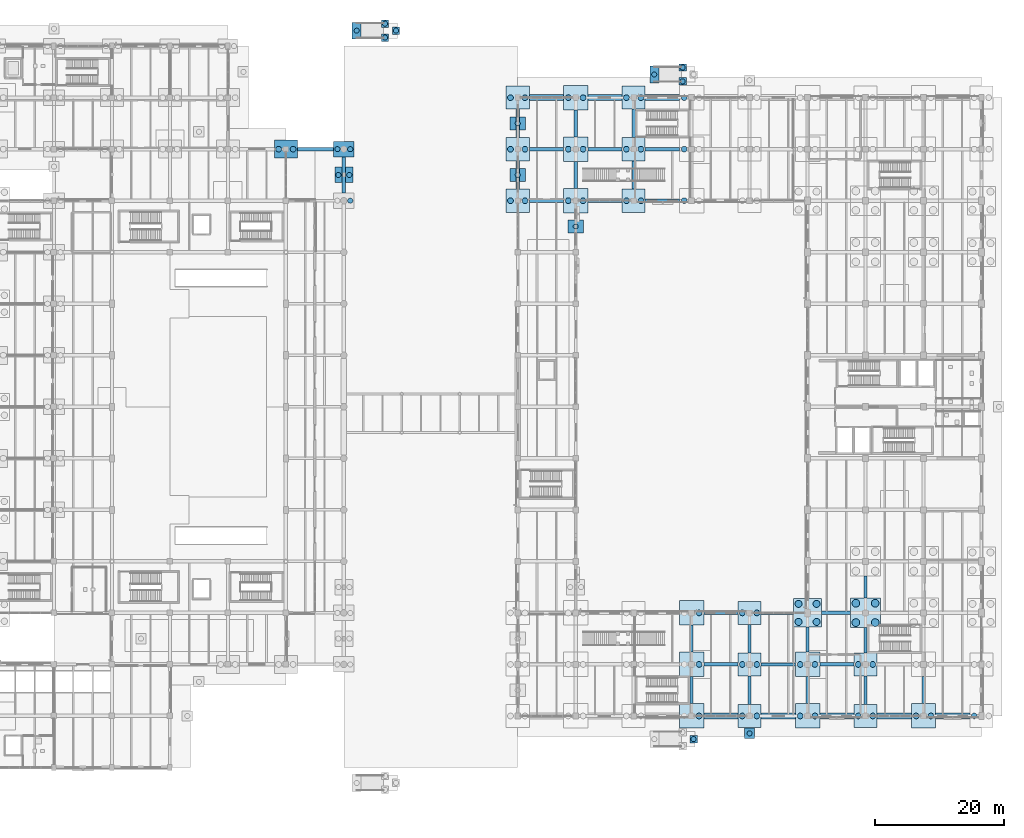
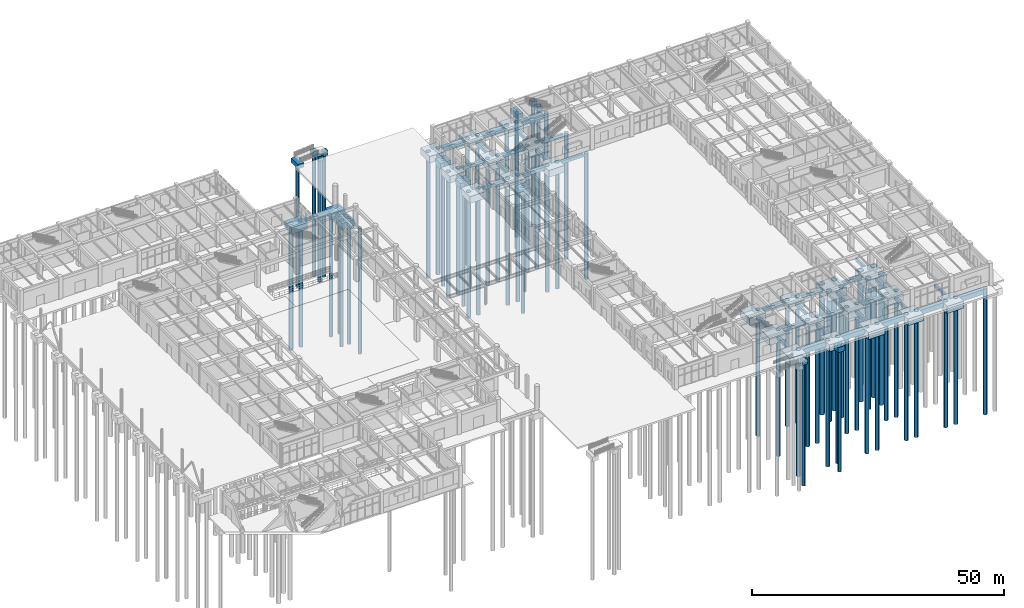
# One storey, part 3 of 121: 75 footings, 68 piles.
"""IFC4 building model written with IfcOpenShell, lengths in metres."""

from ifc_helpers import new_model, si_unit, derived_unit, direction, frame, origin, origin_2d, place, context, subcontext, project, spatial, rectangle, circle, extrude, material, material_profile, profile_set, type_object, element, save


model = new_model("IFC4")

# Units and contexts
model_context = context("Model", 3, precision=1e-05, world=origin(), true_north=direction((0.0, 1.0)))
body_context = subcontext(model_context, "Body", "Model", "MODEL_VIEW")
ifc_project = project(units=[si_unit("LENGTHUNIT", "METRE"), si_unit("AREAUNIT", "SQUARE_METRE"), si_unit("VOLUMEUNIT", "CUBIC_METRE"), si_unit("PLANEANGLEUNIT", "RADIAN"), si_unit("MASSUNIT", "GRAM", prefix="KILO"), derived_unit("THERMALTRANSMITTANCEUNIT", [(si_unit("MASSUNIT", "GRAM", prefix="KILO"), 1), (si_unit("TIMEUNIT", "SECOND"), -3), (si_unit("THERMODYNAMICTEMPERATUREUNIT", "KELVIN"), -1)])], contexts=[model_context])

# Site, building, storey
site_placement = place(None, origin())
site = spatial("IfcSite", under=ifc_project, at=site_placement, CompositionType="ELEMENT")
building_placement = place(site_placement, origin())
building = spatial("IfcBuilding", under=site, at=building_placement, Name="Zhenchuan Archway Interchange", CompositionType="ELEMENT")
storey_placement = place(building_placement, origin())
storey = spatial("IfcBuildingStorey", under=building, at=storey_placement, Name="L00", CompositionType="ELEMENT", Elevation=0.0)

# Footings
ifc_material_1 = material(Name="Concrete C40", Category="concrete")
ifc_material_profile_1 = material_profile(ifc_material_1, rectangle(XDim=0.550048828125, YDim=0.85009765625, at=origin_2d()), Name="RC 550x850")
ifc_profile_set_1 = profile_set([ifc_material_profile_1], Name="Concrete C40")
footing_type_1 = type_object("IfcFootingType", Name="FB_GROUND_3", PredefinedType="FOOTING_BEAM", material=ifc_profile_set_1)
for number, where, z_axis, x_axis, name in (
    (1, (127.89990234375, 16.0, -0.844970703125), (1.0, 0.0, 0.0), (0.0, 1.0, 0.0), "Ground tie beam C:15-16 (L00)"),
    (2, (145.89990234375, 16.0, -0.844970703125), (1.0, 0.0, 0.0), (0.0, 1.0, 0.0), "Ground tie beam C:17-18 (L00)"),
    (3, (127.89990234375, 24.0, -0.844970703125), (1.0, 0.0, 0.0), (0.0, 1.0, 0.0), "Ground tie beam D:15-16 (L00)"),
):
    element("IfcFooting", number, at=place(storey_placement, frame(where, z_axis=z_axis, x_axis=x_axis)), inside=storey, type_object=footing_type_1, Name=name, PredefinedType="FOOTING_BEAM", context=body_context, shape_type="SweptSolid", body=[
        extrude(rectangle(XDim=0.550048828125, YDim=0.85009765625, at=origin_2d()), origin(), (0.0, 0.0, 1.0), 5.300048828125),
    ])
footing_1_placement = place(storey_placement, frame((146.199951171875, 24.0, -0.844970703125), z_axis=(1.0, 0.0, 0.0), x_axis=(0.0, 1.0, 0.0)))
element("IfcFooting", 4, at=footing_1_placement, inside=storey, type_object=footing_type_1, Name="Ground tie beam D:17-18 (L00)", PredefinedType="FOOTING_BEAM", context=body_context, shape_type="SweptSolid", body=[
    extrude(rectangle(XDim=0.550048828125, YDim=0.85009765625, at=origin_2d()), origin(), (0.0, 0.0, 1.0), 4.5),
])
for number, where, z_axis, x_axis, name in (
    (5, (109.89990234375, 88.0, -0.844970703125), (1.0, 0.0, 0.0), (0.0, 1.0, 0.0), "Ground tie beam M:13-14 (L00)"),
    (6, (109.89990234375, 96.0, -0.844970703125), (1.0, 0.0, 0.0), (0.0, 1.0, 0.0), "Ground tie beam N:13-14 (L00)"),
):
    element("IfcFooting", number, at=place(storey_placement, frame(where, z_axis=z_axis, x_axis=x_axis)), inside=storey, type_object=footing_type_1, Name=name, PredefinedType="FOOTING_BEAM", context=body_context, shape_type="SweptSolid", body=[
        extrude(rectangle(XDim=0.550048828125, YDim=0.85009765625, at=origin_2d()), origin(), (0.0, 0.0, 1.0), 5.300048828125),
    ])
ifc_material_profile_2 = material_profile(ifc_material_1, rectangle(XDim=0.5, YDim=0.75, at=origin_2d()), Name="RC 500x750")
ifc_profile_set_2 = profile_set([ifc_material_profile_2], Name="Concrete C40")
footing_type_2 = type_object("IfcFootingType", Name="FB_GROUND_4", PredefinedType="FOOTING_BEAM", material=ifc_profile_set_2)
footing_2_placement = place(storey_placement, frame((136.800048828125, 16.0, -0.794921875), z_axis=(1.0, 0.0, 0.0), x_axis=(0.0, 1.0, 0.0)))
element("IfcFooting", 7, at=footing_2_placement, inside=storey, type_object=footing_type_2, Name="Ground tie beam C:16-17 (L00)", PredefinedType="FOOTING_BEAM", context=body_context, shape_type="SweptSolid", body=[
    extrude(rectangle(XDim=0.5, YDim=0.75, at=origin_2d()), origin(), (0.0, 0.0, 1.0), 5.300048828125),
])
footing_3_placement = place(storey_placement, frame((136.800048828125, 24.0, -0.794921875), z_axis=(1.0, 0.0, 0.0), x_axis=(0.0, 1.0, 0.0)))
element("IfcFooting", 8, at=footing_3_placement, inside=storey, type_object=footing_type_2, Name="Ground tie beam D:16-17 (L00)", PredefinedType="FOOTING_BEAM", context=body_context, shape_type="SweptSolid", body=[
    extrude(rectangle(XDim=0.5, YDim=0.75, at=origin_2d()), origin(), (0.0, 0.0, 1.0), 5.0),
])
for number, where, z_axis, x_axis, name in (
    (9, (100.800048828125, 88.0, -0.794921875), (1.0, 0.0, 0.0), (0.0, 1.0, 0.0), "Ground tie beam M:12-13 (L00)"),
    (10, (118.800048828125, 88.0, -0.794921875), (1.0, 0.0, 0.0), (0.0, 1.0, 0.0), "Ground tie beam M:14-15 (L00)"),
):
    element("IfcFooting", number, at=place(storey_placement, frame(where, z_axis=z_axis, x_axis=x_axis)), inside=storey, type_object=footing_type_2, Name=name, PredefinedType="FOOTING_BEAM", context=body_context, shape_type="SweptSolid", body=[
        extrude(rectangle(XDim=0.5, YDim=0.75, at=origin_2d()), origin(), (0.0, 0.0, 1.0), 5.300048828125),
    ])
footing_4_placement = place(storey_placement, frame((64.800048828125, 96.0, -0.794921875), z_axis=(1.0, 0.0, 0.0), x_axis=(0.0, 1.0, 0.0)))
element("IfcFooting", 11, at=footing_4_placement, inside=storey, type_object=footing_type_2, Name="Ground tie beam N:8-9 (L00)", PredefinedType="FOOTING_BEAM", context=body_context, shape_type="SweptSolid", body=[
    extrude(rectangle(XDim=0.5, YDim=0.75, at=origin_2d()), origin(), (0.0, 0.0, 1.0), 5.599853515625),
])
for number, where, z_axis, x_axis, name in (
    (12, (100.800048828125, 96.0, -0.794921875), (1.0, 0.0, 0.0), (0.0, 1.0, 0.0), "Ground tie beam N:12-13 (L00)"),
    (13, (118.800048828125, 96.0, -0.794921875), (1.0, 0.0, 0.0), (0.0, 1.0, 0.0), "Ground tie beam N:14-15 (L00)"),
):
    element("IfcFooting", number, at=place(storey_placement, frame(where, z_axis=z_axis, x_axis=x_axis)), inside=storey, type_object=footing_type_2, Name=name, PredefinedType="FOOTING_BEAM", context=body_context, shape_type="SweptSolid", body=[
        extrude(rectangle(XDim=0.5, YDim=0.75, at=origin_2d()), origin(), (0.0, 0.0, 1.0), 5.300048828125),
    ])
footing_5_placement = place(storey_placement, frame((72.0, 89.199951171875, -0.794921875), z_axis=(0.0, 1.0, 0.0), x_axis=(-1.0, 0.0, 0.0)))
element("IfcFooting", 14, at=footing_5_placement, inside=storey, type_object=footing_type_2, Name="Ground tie beam 9:M-N (L00)", PredefinedType="FOOTING_BEAM", context=body_context, shape_type="SweptSolid", body=[
    extrude(rectangle(XDim=0.5, YDim=0.75, at=origin_2d()), origin(), (0.0, 0.0, 1.0), 5.60009765625),
])
for number, where, z_axis, x_axis, name in (
    (15, (99.0, 89.800048828125, -0.794921875), (0.0, 1.0, 0.0), (-1.0, 0.0, 0.0), "Ground tie beam 12:M-N (L00)"),
    (16, (99.0, 97.800048828125, -0.794921875), (0.0, 1.0, 0.0), (-1.0, 0.0, 0.0), "Ground tie beam 12:N-O (L00)"),
):
    element("IfcFooting", number, at=place(storey_placement, frame(where, z_axis=z_axis, x_axis=x_axis)), inside=storey, type_object=footing_type_2, Name=name, PredefinedType="FOOTING_BEAM", context=body_context, shape_type="SweptSolid", body=[
        extrude(rectangle(XDim=0.5, YDim=0.75, at=origin_2d()), origin(), (0.0, 0.0, 1.0), 4.39990234375),
    ])
for number, where, z_axis, x_axis, name in (
    (17, (108.0, 89.89990234375, -0.794921875), (0.0, 1.0, 0.0), (-1.0, 0.0, 0.0), "Ground tie beam 13:M-N (L00)"),
    (18, (108.0, 97.89990234375, -0.794921875), (0.0, 1.0, 0.0), (-1.0, 0.0, 0.0), "Ground tie beam 13:N-O (L00)"),
):
    element("IfcFooting", number, at=place(storey_placement, frame(where, z_axis=z_axis, x_axis=x_axis)), inside=storey, type_object=footing_type_2, Name=name, PredefinedType="FOOTING_BEAM", context=body_context, shape_type="SweptSolid", body=[
        extrude(rectangle(XDim=0.5, YDim=0.75, at=origin_2d()), origin(), (0.0, 0.0, 1.0), 4.2001953125),
    ])
for number, where, z_axis, x_axis, name in (
    (19, (117.0, 89.800048828125, -0.794921875), (0.0, 1.0, 0.0), (-1.0, 0.0, 0.0), "Ground tie beam 14:M-N (L00)"),
    (20, (117.0, 97.800048828125, -0.794921875), (0.0, 1.0, 0.0), (-1.0, 0.0, 0.0), "Ground tie beam 14:N-O (L00)"),
):
    element("IfcFooting", number, at=place(storey_placement, frame(where, z_axis=z_axis, x_axis=x_axis)), inside=storey, type_object=footing_type_2, Name=name, PredefinedType="FOOTING_BEAM", context=body_context, shape_type="SweptSolid", body=[
        extrude(rectangle(XDim=0.5, YDim=0.75, at=origin_2d()), origin(), (0.0, 0.0, 1.0), 4.39990234375),
    ])
for number, where, z_axis, x_axis, name in (
    (21, (126.0, 9.89990234375, -0.794921875), (0.0, 1.0, 0.0), (-1.0, 0.0, 0.0), "Ground tie beam 15:B-C (L00)"),
    (22, (126.0, 17.89990234375, -0.794921875), (0.0, 1.0, 0.0), (-1.0, 0.0, 0.0), "Ground tie beam 15:C-D (L00)"),
):
    element("IfcFooting", number, at=place(storey_placement, frame(where, z_axis=z_axis, x_axis=x_axis)), inside=storey, type_object=footing_type_2, Name=name, PredefinedType="FOOTING_BEAM", context=body_context, shape_type="SweptSolid", body=[
        extrude(rectangle(XDim=0.5, YDim=0.75, at=origin_2d()), origin(), (0.0, 0.0, 1.0), 4.2001953125),
    ])
for number, where, z_axis, x_axis, name in (
    (23, (135.0, 9.800048828125, -0.794921875), (0.0, 1.0, 0.0), (-1.0, 0.0, 0.0), "Ground tie beam 16:B-C (L00)"),
    (24, (135.0, 17.800048828125, -0.794921875), (0.0, 1.0, 0.0), (-1.0, 0.0, 0.0), "Ground tie beam 16:C-D (L00)"),
):
    element("IfcFooting", number, at=place(storey_placement, frame(where, z_axis=z_axis, x_axis=x_axis)), inside=storey, type_object=footing_type_2, Name=name, PredefinedType="FOOTING_BEAM", context=body_context, shape_type="SweptSolid", body=[
        extrude(rectangle(XDim=0.5, YDim=0.75, at=origin_2d()), origin(), (0.0, 0.0, 1.0), 4.39990234375),
    ])
footing_6_placement = place(storey_placement, frame((144.0, 9.89990234375, -0.794921875), z_axis=(0.0, 1.0, 0.0), x_axis=(-1.0, 0.0, 0.0)))
element("IfcFooting", 25, at=footing_6_placement, inside=storey, type_object=footing_type_2, Name="Ground tie beam 17:B-C (L00)", PredefinedType="FOOTING_BEAM", context=body_context, shape_type="SweptSolid", body=[
    extrude(rectangle(XDim=0.5, YDim=0.75, at=origin_2d()), origin(), (0.0, 0.0, 1.0), 4.2001953125),
])
footing_7_placement = place(storey_placement, frame((144.0, 17.89990234375, -0.794921875), z_axis=(0.0, 1.0, 0.0), x_axis=(-1.0, 0.0, 0.0)))
element("IfcFooting", 26, at=footing_7_placement, inside=storey, type_object=footing_type_2, Name="Ground tie beam 17:C-D (L00)", PredefinedType="FOOTING_BEAM", context=body_context, shape_type="SweptSolid", body=[
    extrude(rectangle(XDim=0.5, YDim=0.75, at=origin_2d()), origin(), (0.0, 0.0, 1.0), 3.900146484375),
])
footing_8_placement = place(storey_placement, frame((153.0, 9.800048828125, -0.794921875), z_axis=(0.0, 1.0, 0.0), x_axis=(-1.0, 0.0, 0.0)))
element("IfcFooting", 27, at=footing_8_placement, inside=storey, type_object=footing_type_2, Name="Ground tie beam 18:B-C (L00)", PredefinedType="FOOTING_BEAM", context=body_context, shape_type="SweptSolid", body=[
    extrude(rectangle(XDim=0.5, YDim=0.75, at=origin_2d()), origin(), (0.0, 0.0, 1.0), 4.39990234375),
])
footing_9_placement = place(storey_placement, frame((153.0, 17.800048828125, -0.794921875), z_axis=(0.0, 1.0, 0.0), x_axis=(-1.0, 0.0, 0.0)))
element("IfcFooting", 28, at=footing_9_placement, inside=storey, type_object=footing_type_2, Name="Ground tie beam 18:C-D (L00)", PredefinedType="FOOTING_BEAM", context=body_context, shape_type="SweptSolid", body=[
    extrude(rectangle(XDim=0.5, YDim=0.75, at=origin_2d()), origin(), (0.0, 0.0, 1.0), 3.89990234375),
])
footing_10_placement = place(storey_placement, frame((153.0, 26.300048828125, -0.794921875), z_axis=(0.0, 1.0, 0.0), x_axis=(-1.0, 0.0, 0.0)))
element("IfcFooting", 29, at=footing_10_placement, inside=storey, type_object=footing_type_2, Name="Ground tie beam 18:D-E (L00)", PredefinedType="FOOTING_BEAM", context=body_context, shape_type="SweptSolid", body=[
    extrude(rectangle(XDim=0.5, YDim=0.75, at=origin_2d()), origin(), (0.0, 0.0, 1.0), 3.39990234375),
])
footing_11_placement = place(storey_placement, frame((162.0, 9.89990234375, -0.794921875), z_axis=(0.0, 1.0, 0.0), x_axis=(-1.0, 0.0, 0.0)))
element("IfcFooting", 30, at=footing_11_placement, inside=storey, type_object=footing_type_2, Name="Ground tie beam 19:B-C (L00)", PredefinedType="FOOTING_BEAM", context=body_context, shape_type="SweptSolid", body=[
    extrude(rectangle(XDim=0.5, YDim=0.75, at=origin_2d()), origin(), (0.0, 0.0, 1.0), 4.2001953125),
])
ifc_material_profile_3 = material_profile(ifc_material_1, rectangle(XDim=0.89990234375, YDim=1.159912109375, at=origin_2d()), Name="RC 900x1160")
ifc_profile_set_3 = profile_set([ifc_material_profile_3], Name="Concrete C40")
footing_type_3 = type_object("IfcFootingType", Name="FB_PLINTH_CURB", PredefinedType="STRIP_FOOTING", material=ifc_profile_set_3)
for number, where, z_axis, x_axis, name in (
    (31, (127.89990234375, 8.0, -1.0), (1.0, 0.0, 0.0), (0.0, 1.0, 0.0), "Perimeter strip footing B:15-16 (L00)"),
    (32, (136.800048828125, 8.0, -1.0), (1.0, 0.0, 0.0), (0.0, 1.0, 0.0), "Perimeter strip footing B:16-17 (L00)"),
    (33, (145.89990234375, 8.0, -1.0), (1.0, 0.0, 0.0), (0.0, 1.0, 0.0), "Perimeter strip footing B:17-18 (L00)"),
    (34, (154.800048828125, 8.0, -1.0), (1.0, 0.0, 0.0), (0.0, 1.0, 0.0), "Perimeter strip footing B:18-19 (L00)"),
    (35, (163.89990234375, 8.0, -1.0), (1.0, 0.0, 0.0), (0.0, 1.0, 0.0), "Perimeter strip footing B:19-20 (L00)"),
    (36, (100.800048828125, 104.0, -1.0), (1.0, 0.0, 0.0), (0.0, 1.0, 0.0), "Perimeter strip footing O:12-13 (L00)"),
    (37, (109.89990234375, 104.0, -1.0), (1.0, 0.0, 0.0), (0.0, 1.0, 0.0), "Perimeter strip footing O:13-14 (L00)"),
    (38, (118.800048828125, 104.0, -1.0), (1.0, 0.0, 0.0), (0.0, 1.0, 0.0), "Perimeter strip footing O:14-15 (L00)"),
):
    element("IfcFooting", number, at=place(storey_placement, frame(where, z_axis=z_axis, x_axis=x_axis)), inside=storey, type_object=footing_type_3, Name=name, PredefinedType="STRIP_FOOTING", context=body_context, shape_type="SweptSolid", body=[
        extrude(rectangle(XDim=0.89990234375, YDim=1.159912109375, at=origin_2d()), origin(), (0.0, 0.0, 1.0), 5.300048828125),
    ])
footing_type_4 = type_object("IfcFootingType", Name="PAD_EQUIP_4", PredefinedType="PAD_FOOTING", material=ifc_material_1)
footing_12_placement = place(storey_placement, frame((135.0, 5.300048828125, -1.6201171875), z_axis=(0.0, 0.0, 1.0), x_axis=(1.0, 0.0, 0.0)))
element("IfcFooting", 39, at=footing_12_placement, inside=storey, type_object=footing_type_4, Name="Walkway curb footing OPSS", PredefinedType="PAD_FOOTING", context=body_context, shape_type="SweptSolid", body=[
    extrude(rectangle(XDim=1.60009765625, YDim=1.60009765625, at=origin_2d()), origin(), (0.0, 0.0, 1.0), 1.199951171875),
])
footing_type_5 = type_object("IfcFootingType", Name="PAD_EQUIP_5", PredefinedType="PAD_FOOTING", material=ifc_material_1)
for number, where, z_axis, x_axis, name in (
    (40, (74.0, 114.39990234375, -1.699951171875), (0.0, 0.0, 1.0), (1.0, 0.0, 0.0), "RMP-A2 lower curb footing"),
    (41, (120.199951171875, 107.60009765625, -1.699951171875), (0.0, 0.0, 1.0), (1.0, 0.0, 0.0), "RMP-A4 lower curb footing"),
):
    element("IfcFooting", number, at=place(storey_placement, frame(where, z_axis=z_axis, x_axis=x_axis)), inside=storey, type_object=footing_type_5, Name=name, PredefinedType="PAD_FOOTING", context=body_context, shape_type="SweptSolid", body=[
        extrude(rectangle(XDim=1.39990234375, YDim=2.60009765625, at=origin_2d()), origin(), (0.0, 0.0, 1.0), 1.10009765625),
    ])
footing_type_6 = type_object("IfcFootingType", Name="PAD_EQUIP_7", PredefinedType="PAD_FOOTING", material=ifc_material_1)
for number, where, z_axis, x_axis, name in (
    (42, (78.39990234375, 113.320068359375, -1.35009765625), (0.0, 0.0, 1.0), (1.0, 0.0, 0.0), "RMP-A2 upper landing footing 1"),
    (43, (78.39990234375, 115.47998046875, -1.35009765625), (0.0, 0.0, 1.0), (1.0, 0.0, 0.0), "RMP-A2 upper landing footing 2"),
    (44, (80.10009765625, 114.39990234375, -1.35009765625), (0.0, 0.0, 1.0), (1.0, 0.0, 0.0), "RMP-A2 upper landing footing 3"),
    (45, (126.300048828125, 4.39990234375, -1.35009765625), (0.0, 0.0, 1.0), (1.0, 0.0, 0.0), "RMP-A3 upper landing footing 3"),
    (46, (124.60009765625, 106.52001953125, -1.35009765625), (0.0, 0.0, 1.0), (1.0, 0.0, 0.0), "RMP-A4 upper landing footing 1"),
    (47, (124.60009765625, 108.679931640625, -1.35009765625), (0.0, 0.0, 1.0), (1.0, 0.0, 0.0), "RMP-A4 upper landing footing 2"),
):
    element("IfcFooting", number, at=place(storey_placement, frame(where, z_axis=z_axis, x_axis=x_axis)), inside=storey, type_object=footing_type_6, Name=name, PredefinedType="PAD_FOOTING", context=body_context, shape_type="SweptSolid", body=[
        extrude(rectangle(XDim=1.14990234375, YDim=1.14990234375, at=origin_2d()), origin(), (0.0, 0.0, 1.0), 1.10009765625),
    ])
footing_type_7 = type_object("IfcFootingType", Name="PC_BRG_28x24", PredefinedType="PILE_CAP", material=ifc_material_1)
footing_13_placement = place(storey_placement, frame((72.0, 92.0, -1.919921875), z_axis=(0.0, 0.0, 1.0), x_axis=(1.0, 0.0, 0.0)))
element("IfcFooting", 48, at=footing_13_placement, inside=storey, type_object=footing_type_7, Name="Colonnade pilaster pile cap PAS-W3", PredefinedType="PILE_CAP", context=body_context, shape_type="SweptSolid", body=[
    extrude(rectangle(XDim=2.800048828125, YDim=2.39990234375, at=origin_2d()), origin(), (0.0, 0.0, 1.0), 1.5),
])
footing_type_8 = type_object("IfcFootingType", Name="PC_B_38x38", PredefinedType="PILE_CAP", material=ifc_material_1)
for number, where, z_axis, x_axis, name in (
    (49, (108.0, 88.0, -2.169921875), (0.0, 0.0, 1.0), (1.0, 0.0, 0.0), "Pile cap PC-07 at 13/M (L00)"),
    (50, (108.0, 96.0, -2.169921875), (0.0, 0.0, 1.0), (1.0, 0.0, 0.0), "Pile cap PC-07 at 13/N (L00)"),
    (51, (108.0, 104.0, -2.169921875), (0.0, 0.0, 1.0), (1.0, 0.0, 0.0), "Pile cap PC-07 at 13/O (L00)"),
    (52, (126.0, 8.0, -2.169921875), (0.0, 0.0, 1.0), (1.0, 0.0, 0.0), "Pile cap PC-07 at 15/B (L00)"),
    (53, (126.0, 16.0, -2.169921875), (0.0, 0.0, 1.0), (1.0, 0.0, 0.0), "Pile cap PC-07 at 15/C (L00)"),
    (54, (126.0, 24.0, -2.169921875), (0.0, 0.0, 1.0), (1.0, 0.0, 0.0), "Pile cap PC-07 at 15/D (L00)"),
    (55, (144.0, 8.0, -2.169921875), (0.0, 0.0, 1.0), (1.0, 0.0, 0.0), "Pile cap PC-07 at 17/B (L00)"),
    (56, (144.0, 16.0, -2.169921875), (0.0, 0.0, 1.0), (1.0, 0.0, 0.0), "Pile cap PC-07 at 17/C (L00)"),
    (57, (162.0, 8.0, -2.169921875), (0.0, 0.0, 1.0), (1.0, 0.0, 0.0), "Pile cap PC-07 at 19/B (L00)"),
):
    element("IfcFooting", number, at=place(storey_placement, frame(where, z_axis=z_axis, x_axis=x_axis)), inside=storey, type_object=footing_type_8, Name=name, PredefinedType="PILE_CAP", context=body_context, shape_type="SweptSolid", body=[
        extrude(rectangle(XDim=3.800048828125, YDim=3.800048828125, at=origin_2d()), origin(), (0.0, 0.0, 1.0), 1.75),
    ])
footing_type_9 = type_object("IfcFootingType", Name="PC_C_36x28", PredefinedType="PILE_CAP", material=ifc_material_1)
footing_14_placement = place(storey_placement, frame((63.0, 96.0, -2.0400390625), z_axis=(0.0, 0.0, 1.0), x_axis=(1.0, 0.0, 0.0)))
element("IfcFooting", 58, at=footing_14_placement, inside=storey, type_object=footing_type_9, Name="Pile cap PC-15 at 8/N (L00)", PredefinedType="PILE_CAP", context=body_context, shape_type="SweptSolid", body=[
    extrude(rectangle(XDim=3.60009765625, YDim=2.800048828125, at=origin_2d()), origin(), (0.0, 0.0, 1.0), 1.6201171875),
])
footing_type_10 = type_object("IfcFootingType", Name="PC_E_32x24", PredefinedType="PILE_CAP", material=ifc_material_1)
footing_15_placement = place(storey_placement, frame((72.0, 96.0, -1.919921875), z_axis=(0.0, 0.0, 1.0), x_axis=(1.0, 0.0, 0.0)))
element("IfcFooting", 59, at=footing_15_placement, inside=storey, type_object=footing_type_10, Name="Pile cap PC-12 at 9/N (L00)", PredefinedType="PILE_CAP", context=body_context, shape_type="SweptSolid", body=[
    extrude(rectangle(XDim=3.199951171875, YDim=2.39990234375, at=origin_2d()), origin(), (0.0, 0.0, 1.0), 1.5),
])
footing_type_11 = type_object("IfcFootingType", Name="PC_M_36x36", PredefinedType="PILE_CAP", material=ifc_material_1)
for number, where, z_axis, x_axis, name in (
    (60, (99.0, 88.0, -2.070068359375), (0.0, 0.0, 1.0), (1.0, 0.0, 0.0), "Pile cap PC-09 at 12/M (L00)"),
    (61, (99.0, 96.0, -2.070068359375), (0.0, 0.0, 1.0), (1.0, 0.0, 0.0), "Pile cap PC-09 at 12/N (L00)"),
    (62, (99.0, 104.0, -2.070068359375), (0.0, 0.0, 1.0), (1.0, 0.0, 0.0), "Pile cap PC-09 at 12/O (L00)"),
    (63, (117.0, 88.0, -2.070068359375), (0.0, 0.0, 1.0), (1.0, 0.0, 0.0), "Pile cap PC-09 at 14/M (L00)"),
    (64, (117.0, 96.0, -2.070068359375), (0.0, 0.0, 1.0), (1.0, 0.0, 0.0), "Pile cap PC-09 at 14/N (L00)"),
    (65, (117.0, 104.0, -2.070068359375), (0.0, 0.0, 1.0), (1.0, 0.0, 0.0), "Pile cap PC-09 at 14/O (L00)"),
    (66, (135.0, 8.0, -2.070068359375), (0.0, 0.0, 1.0), (1.0, 0.0, 0.0), "Pile cap PC-09 at 16/B (L00)"),
    (67, (135.0, 16.0, -2.070068359375), (0.0, 0.0, 1.0), (1.0, 0.0, 0.0), "Pile cap PC-09 at 16/C (L00)"),
    (68, (135.0, 24.0, -2.070068359375), (0.0, 0.0, 1.0), (1.0, 0.0, 0.0), "Pile cap PC-09 at 16/D (L00)"),
    (69, (153.0, 8.0, -2.070068359375), (0.0, 0.0, 1.0), (1.0, 0.0, 0.0), "Pile cap PC-09 at 18/B (L00)"),
    (70, (153.0, 16.0, -2.070068359375), (0.0, 0.0, 1.0), (1.0, 0.0, 0.0), "Pile cap PC-09 at 18/C (L00)"),
):
    element("IfcFooting", number, at=place(storey_placement, frame(where, z_axis=z_axis, x_axis=x_axis)), inside=storey, type_object=footing_type_11, Name=name, PredefinedType="PILE_CAP", context=body_context, shape_type="SweptSolid", body=[
        extrude(rectangle(XDim=3.60009765625, YDim=3.60009765625, at=origin_2d()), origin(), (0.0, 0.0, 1.0), 1.64990234375),
    ])
footing_type_12 = type_object("IfcFootingType", Name="PC_PIL_24x20", PredefinedType="PILE_CAP", material=ifc_material_1)
for number, where, z_axis, x_axis, name in (
    (71, (99.0, 92.0, -1.820068359375), (0.0, 0.0, 1.0), (1.0, 0.0, 0.0), "Colonnade pilaster pile cap PAS-E3"),
    (72, (99.0, 100.0, -1.820068359375), (0.0, 0.0, 1.0), (1.0, 0.0, 0.0), "Colonnade pilaster pile cap PAS-E4"),
    (73, (108.0, 84.0, -1.820068359375), (0.0, 0.0, 1.0), (1.0, 0.0, 0.0), "Colonnade pilaster pile cap CRT-W4"),
):
    element("IfcFooting", number, at=place(storey_placement, frame(where, z_axis=z_axis, x_axis=x_axis)), inside=storey, type_object=footing_type_12, Name=name, PredefinedType="PILE_CAP", context=body_context, shape_type="SweptSolid", body=[
        extrude(rectangle(XDim=2.39990234375, YDim=2.0, at=origin_2d()), origin(), (0.0, 0.0, 1.0), 1.39990234375),
    ])
footing_type_13 = type_object("IfcFootingType", Name="PC_T_44x44", PredefinedType="PILE_CAP", material=ifc_material_1)
footing_16_placement = place(storey_placement, frame((144.0, 24.0, -2.419921875), z_axis=(0.0, 0.0, 1.0), x_axis=(1.0, 0.0, 0.0)))
element("IfcFooting", 74, at=footing_16_placement, inside=storey, type_object=footing_type_13, Name="Pile cap PC-02 at 17/D (L00)", PredefinedType="PILE_CAP", context=body_context, shape_type="SweptSolid", body=[
    extrude(rectangle(XDim=4.39990234375, YDim=4.39990234375, at=origin_2d()), origin(), (0.0, 0.0, 1.0), 2.0),
])
footing_type_14 = type_object("IfcFootingType", Name="PC_T_46x46", PredefinedType="PILE_CAP", material=ifc_material_1)
footing_17_placement = place(storey_placement, frame((153.0, 24.0, -2.52001953125), z_axis=(0.0, 0.0, 1.0), x_axis=(1.0, 0.0, 0.0)))
element("IfcFooting", 75, at=footing_17_placement, inside=storey, type_object=footing_type_14, Name="Pile cap PC-01 at 18/D (L00)", PredefinedType="PILE_CAP", context=body_context, shape_type="SweptSolid", body=[
    extrude(rectangle(XDim=4.60009765625, YDim=4.60009765625, at=origin_2d()), origin(), (0.0, 0.0, 1.0), 2.10009765625),
])

# Piles
ifc_material_2 = material(Name="Concrete C35", Category="concrete")
ifc_material_profile_4 = material_profile(ifc_material_2, circle(Radius=0.550048828125, at=origin_2d()), Name="BORED PILE 1100")
ifc_profile_set_4 = profile_set([ifc_material_profile_4], Name="Concrete C35")
pile_type_1 = type_object("IfcPileType", Name="PILE_D1100", PredefinedType="BORED", material=ifc_profile_set_4)
for number, where, z_axis, x_axis, name in (
    (76, (142.60009765625, 22.60009765625, -0.419921875), (0.0, 0.0, -1.0), (1.0, 0.0, 0.0), "Bored pile at 17/D #1 (L00)"),
    (77, (145.39990234375, 22.60009765625, -0.419921875), (0.0, 0.0, -1.0), (1.0, 0.0, 0.0), "Bored pile at 17/D #2 (L00)"),
    (78, (142.60009765625, 25.39990234375, -0.419921875), (0.0, 0.0, -1.0), (1.0, 0.0, 0.0), "Bored pile at 17/D #3 (L00)"),
    (79, (145.39990234375, 25.39990234375, -0.419921875), (0.0, 0.0, -1.0), (1.0, 0.0, 0.0), "Bored pile at 17/D #4 (L00)"),
):
    element("IfcPile", number, at=place(storey_placement, frame(where, z_axis=z_axis, x_axis=x_axis)), inside=storey, type_object=pile_type_1, Name=name, PredefinedType="BORED", context=body_context, shape_type="SweptSolid", body=[
        extrude(circle(Radius=0.550048828125, at=origin_2d()), origin(), (0.0, 0.0, 1.0), 31.5),
    ])
ifc_material_profile_5 = material_profile(ifc_material_2, circle(Radius=0.60009765625, at=origin_2d()), Name="BORED PILE 1200")
ifc_profile_set_5 = profile_set([ifc_material_profile_5], Name="Concrete C35")
pile_type_2 = type_object("IfcPileType", Name="PILE_D1200", PredefinedType="BORED", material=ifc_profile_set_5)
for number, where, z_axis, x_axis, name in (
    (80, (151.5, 22.5, -0.419921875), (0.0, 0.0, -1.0), (1.0, 0.0, 0.0), "Bored pile at 18/D #1 (L00)"),
    (81, (154.5, 22.5, -0.419921875), (0.0, 0.0, -1.0), (1.0, 0.0, 0.0), "Bored pile at 18/D #2 (L00)"),
    (82, (151.5, 25.5, -0.419921875), (0.0, 0.0, -1.0), (1.0, 0.0, 0.0), "Bored pile at 18/D #3 (L00)"),
    (83, (154.5, 25.5, -0.419921875), (0.0, 0.0, -1.0), (1.0, 0.0, 0.0), "Bored pile at 18/D #4 (L00)"),
):
    element("IfcPile", number, at=place(storey_placement, frame(where, z_axis=z_axis, x_axis=x_axis)), inside=storey, type_object=pile_type_2, Name=name, PredefinedType="BORED", context=body_context, shape_type="SweptSolid", body=[
        extrude(circle(Radius=0.60009765625, at=origin_2d()), origin(), (0.0, 0.0, 1.0), 31.5),
    ])
ifc_material_profile_6 = material_profile(ifc_material_2, circle(Radius=0.39990234375, at=origin_2d()), Name="BORED PILE 800")
ifc_profile_set_6 = profile_set([ifc_material_profile_6], Name="Concrete C35")
pile_type_3 = type_object("IfcPileType", Name="PILE_D800", PredefinedType="BORED", material=ifc_profile_set_6)
for number, where, z_axis, x_axis, name in (
    (84, (73.0, 88.0, -0.419921875), (0.0, 0.0, -1.0), (1.0, 0.0, 0.0), "Bored pile at 9/M #2 (L00)"),
    (85, (71.0, 96.0, -0.419921875), (0.0, 0.0, -1.0), (1.0, 0.0, 0.0), "Bored pile at 9/N #1 (L00)"),
    (86, (73.0, 96.0, -0.419921875), (0.0, 0.0, -1.0), (1.0, 0.0, 0.0), "Bored pile at 9/N #2 (L00)"),
    (87, (71.14990234375, 92.0, -0.419921875), (0.0, 0.0, -1.0), (1.0, 0.0, 0.0), "Colonnade pilaster pile PAS-W3 #1"),
    (88, (72.85009765625, 92.0, -0.419921875), (0.0, 0.0, -1.0), (1.0, 0.0, 0.0), "Colonnade pilaster pile PAS-W3 #2"),
    (89, (99.0, 92.0, -0.419921875), (0.0, 0.0, -1.0), (1.0, 0.0, 0.0), "Colonnade pilaster pile PAS-E3 #1"),
    (90, (99.0, 100.0, -0.419921875), (0.0, 0.0, -1.0), (1.0, 0.0, 0.0), "Colonnade pilaster pile PAS-E4 #1"),
    (91, (108.0, 84.0, -0.419921875), (0.0, 0.0, -1.0), (1.0, 0.0, 0.0), "Colonnade pilaster pile CRT-W4 #1"),
    (92, (74.0, 114.39990234375, -0.60009765625), (0.0, 0.0, -1.0), (1.0, 0.0, 0.0), "RMP-A2 lower curb pile"),
    (93, (78.39990234375, 113.320068359375, -0.25), (0.0, 0.0, -1.0), (1.0, 0.0, 0.0), "RMP-A2 upper landing pile 1"),
    (94, (78.39990234375, 115.47998046875, -0.25), (0.0, 0.0, -1.0), (1.0, 0.0, 0.0), "RMP-A2 upper landing pile 2"),
    (95, (80.10009765625, 114.39990234375, -0.25), (0.0, 0.0, -1.0), (1.0, 0.0, 0.0), "RMP-A2 upper landing pile 3"),
    (96, (126.300048828125, 4.39990234375, -0.25), (0.0, 0.0, -1.0), (1.0, 0.0, 0.0), "RMP-A3 upper landing pile 3"),
    (97, (120.199951171875, 107.60009765625, -0.60009765625), (0.0, 0.0, -1.0), (1.0, 0.0, 0.0), "RMP-A4 lower curb pile"),
    (98, (124.60009765625, 106.52001953125, -0.25), (0.0, 0.0, -1.0), (1.0, 0.0, 0.0), "RMP-A4 upper landing pile 1"),
    (99, (124.60009765625, 108.679931640625, -0.25), (0.0, 0.0, -1.0), (1.0, 0.0, 0.0), "RMP-A4 upper landing pile 2"),
    (100, (135.0, 5.300048828125, -0.419921875), (0.0, 0.0, -1.0), (1.0, 0.0, 0.0), "Walkway curb pile OPSS"),
):
    element("IfcPile", number, at=place(storey_placement, frame(where, z_axis=z_axis, x_axis=x_axis)), inside=storey, type_object=pile_type_3, Name=name, PredefinedType="BORED", context=body_context, shape_type="SweptSolid", body=[
        extrude(circle(Radius=0.39990234375, at=origin_2d()), origin(), (0.0, 0.0, 1.0), 30.5),
    ])
ifc_material_profile_7 = material_profile(ifc_material_2, circle(Radius=0.449951171875, at=origin_2d()), Name="BORED PILE 900")
ifc_profile_set_7 = profile_set([ifc_material_profile_7], Name="Concrete C35")
pile_type_4 = type_object("IfcPileType", Name="PILE_D900", PredefinedType="BORED", material=ifc_profile_set_7)
for number, where, z_axis, x_axis, name in (
    (101, (97.875, 88.0, -0.419921875), (0.0, 0.0, -1.0), (1.0, 0.0, 0.0), "Bored pile at 12/M #1 (L00)"),
    (102, (100.125, 88.0, -0.419921875), (0.0, 0.0, -1.0), (1.0, 0.0, 0.0), "Bored pile at 12/M #2 (L00)"),
    (103, (97.875, 96.0, -0.419921875), (0.0, 0.0, -1.0), (1.0, 0.0, 0.0), "Bored pile at 12/N #1 (L00)"),
    (104, (100.125, 96.0, -0.419921875), (0.0, 0.0, -1.0), (1.0, 0.0, 0.0), "Bored pile at 12/N #2 (L00)"),
    (105, (97.875, 104.0, -0.419921875), (0.0, 0.0, -1.0), (1.0, 0.0, 0.0), "Bored pile at 12/O #1 (L00)"),
    (106, (100.125, 104.0, -0.419921875), (0.0, 0.0, -1.0), (1.0, 0.0, 0.0), "Bored pile at 12/O #2 (L00)"),
    (107, (106.85009765625, 88.0, -0.419921875), (0.0, 0.0, -1.0), (1.0, 0.0, 0.0), "Bored pile at 13/M #1 (L00)"),
    (108, (109.14990234375, 88.0, -0.419921875), (0.0, 0.0, -1.0), (1.0, 0.0, 0.0), "Bored pile at 13/M #2 (L00)"),
    (109, (106.85009765625, 96.0, -0.419921875), (0.0, 0.0, -1.0), (1.0, 0.0, 0.0), "Bored pile at 13/N #1 (L00)"),
    (110, (109.14990234375, 96.0, -0.419921875), (0.0, 0.0, -1.0), (1.0, 0.0, 0.0), "Bored pile at 13/N #2 (L00)"),
    (111, (106.85009765625, 104.0, -0.419921875), (0.0, 0.0, -1.0), (1.0, 0.0, 0.0), "Bored pile at 13/O #1 (L00)"),
    (112, (109.14990234375, 104.0, -0.419921875), (0.0, 0.0, -1.0), (1.0, 0.0, 0.0), "Bored pile at 13/O #2 (L00)"),
    (113, (115.875, 88.0, -0.419921875), (0.0, 0.0, -1.0), (1.0, 0.0, 0.0), "Bored pile at 14/M #1 (L00)"),
    (114, (118.125, 88.0, -0.419921875), (0.0, 0.0, -1.0), (1.0, 0.0, 0.0), "Bored pile at 14/M #2 (L00)"),
    (115, (115.875, 96.0, -0.419921875), (0.0, 0.0, -1.0), (1.0, 0.0, 0.0), "Bored pile at 14/N #1 (L00)"),
    (116, (118.125, 96.0, -0.419921875), (0.0, 0.0, -1.0), (1.0, 0.0, 0.0), "Bored pile at 14/N #2 (L00)"),
    (117, (115.875, 104.0, -0.419921875), (0.0, 0.0, -1.0), (1.0, 0.0, 0.0), "Bored pile at 14/O #1 (L00)"),
    (118, (118.125, 104.0, -0.419921875), (0.0, 0.0, -1.0), (1.0, 0.0, 0.0), "Bored pile at 14/O #2 (L00)"),
    (119, (127.14990234375, 8.0, -0.419921875), (0.0, 0.0, -1.0), (1.0, 0.0, 0.0), "Bored pile at 15/B #2 (L00)"),
    (120, (127.14990234375, 16.0, -0.419921875), (0.0, 0.0, -1.0), (1.0, 0.0, 0.0), "Bored pile at 15/C #2 (L00)"),
    (121, (127.14990234375, 24.0, -0.419921875), (0.0, 0.0, -1.0), (1.0, 0.0, 0.0), "Bored pile at 15/D #2 (L00)"),
    (122, (124.85009765625, 88.0, -0.419921875), (0.0, 0.0, -1.0), (1.0, 0.0, 0.0), "Bored pile at 15/M #1 (L00)"),
    (123, (124.85009765625, 96.0, -0.419921875), (0.0, 0.0, -1.0), (1.0, 0.0, 0.0), "Bored pile at 15/N #1 (L00)"),
    (124, (124.85009765625, 104.0, -0.419921875), (0.0, 0.0, -1.0), (1.0, 0.0, 0.0), "Bored pile at 15/O #1 (L00)"),
    (125, (133.875, 8.0, -0.419921875), (0.0, 0.0, -1.0), (1.0, 0.0, 0.0), "Bored pile at 16/B #1 (L00)"),
    (126, (136.125, 8.0, -0.419921875), (0.0, 0.0, -1.0), (1.0, 0.0, 0.0), "Bored pile at 16/B #2 (L00)"),
    (127, (133.875, 16.0, -0.419921875), (0.0, 0.0, -1.0), (1.0, 0.0, 0.0), "Bored pile at 16/C #1 (L00)"),
    (128, (136.125, 16.0, -0.419921875), (0.0, 0.0, -1.0), (1.0, 0.0, 0.0), "Bored pile at 16/C #2 (L00)"),
    (129, (133.875, 24.0, -0.419921875), (0.0, 0.0, -1.0), (1.0, 0.0, 0.0), "Bored pile at 16/D #1 (L00)"),
    (130, (136.125, 24.0, -0.419921875), (0.0, 0.0, -1.0), (1.0, 0.0, 0.0), "Bored pile at 16/D #2 (L00)"),
    (131, (142.85009765625, 8.0, -0.419921875), (0.0, 0.0, -1.0), (1.0, 0.0, 0.0), "Bored pile at 17/B #1 (L00)"),
    (132, (145.14990234375, 8.0, -0.419921875), (0.0, 0.0, -1.0), (1.0, 0.0, 0.0), "Bored pile at 17/B #2 (L00)"),
    (133, (142.85009765625, 16.0, -0.419921875), (0.0, 0.0, -1.0), (1.0, 0.0, 0.0), "Bored pile at 17/C #1 (L00)"),
    (134, (145.14990234375, 16.0, -0.419921875), (0.0, 0.0, -1.0), (1.0, 0.0, 0.0), "Bored pile at 17/C #2 (L00)"),
    (135, (151.875, 8.0, -0.419921875), (0.0, 0.0, -1.0), (1.0, 0.0, 0.0), "Bored pile at 18/B #1 (L00)"),
    (136, (154.125, 8.0, -0.419921875), (0.0, 0.0, -1.0), (1.0, 0.0, 0.0), "Bored pile at 18/B #2 (L00)"),
    (137, (151.875, 16.0, -0.419921875), (0.0, 0.0, -1.0), (1.0, 0.0, 0.0), "Bored pile at 18/C #1 (L00)"),
    (138, (154.125, 16.0, -0.419921875), (0.0, 0.0, -1.0), (1.0, 0.0, 0.0), "Bored pile at 18/C #2 (L00)"),
    (139, (160.85009765625, 8.0, -0.419921875), (0.0, 0.0, -1.0), (1.0, 0.0, 0.0), "Bored pile at 19/B #1 (L00)"),
    (140, (163.14990234375, 8.0, -0.419921875), (0.0, 0.0, -1.0), (1.0, 0.0, 0.0), "Bored pile at 19/B #2 (L00)"),
    (141, (169.875, 8.0, -0.419921875), (0.0, 0.0, -1.0), (1.0, 0.0, 0.0), "Bored pile at 20/B #1 (L00)"),
    (142, (61.875, 96.0, -0.419921875), (0.0, 0.0, -1.0), (1.0, 0.0, 0.0), "Bored pile at 8/N #1 (L00)"),
    (143, (64.125, 96.0, -0.419921875), (0.0, 0.0, -1.0), (1.0, 0.0, 0.0), "Bored pile at 8/N #2 (L00)"),
):
    element("IfcPile", number, at=place(storey_placement, frame(where, z_axis=z_axis, x_axis=x_axis)), inside=storey, type_object=pile_type_4, Name=name, PredefinedType="BORED", context=body_context, shape_type="SweptSolid", body=[
        extrude(circle(Radius=0.449951171875, at=origin_2d()), origin(), (0.0, 0.0, 1.0), 30.5),
    ])

save(model, "model.ifc")
